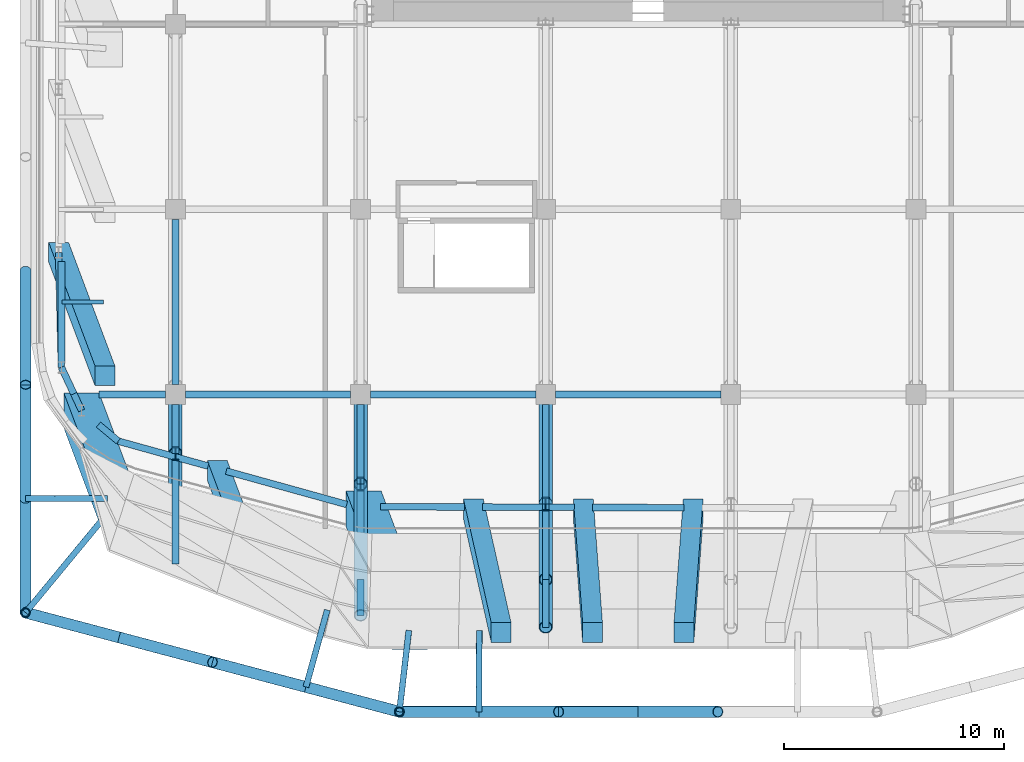
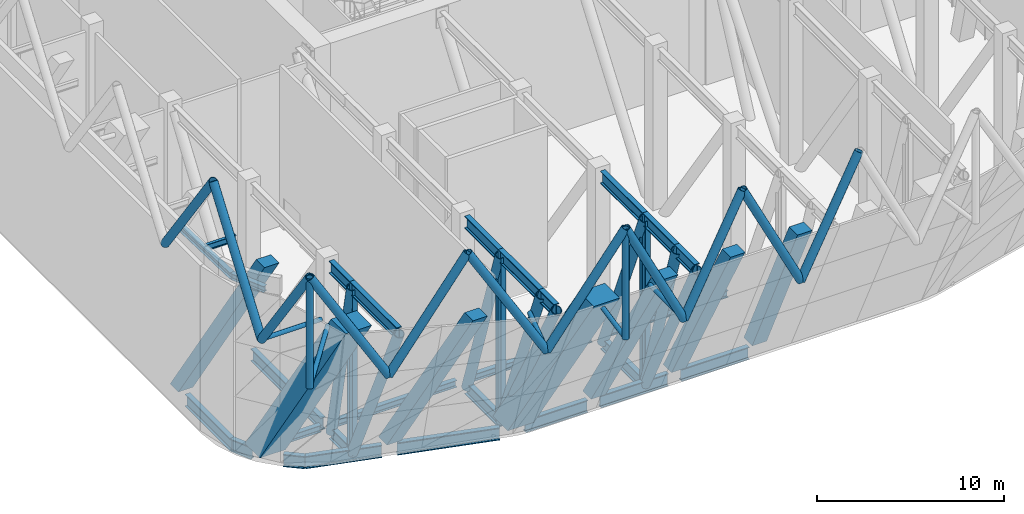
# One storey, part 3 of 20: 35 beams, 28 members.
"""IFC4 building model written with IfcOpenShell, lengths in metres."""

from ifc_helpers import new_model, si_unit, direction, frame, origin, origin_2d, place, context, subcontext, project, spatial, rectangle, hollow_circle, i_section, extrude, material, material_profile, profile_set, type_object, element, save


model = new_model("IFC4")

# Units and contexts
model_context = context("Model", 3, precision=1e-05, world=origin(), true_north=direction((0.0, 1.0)))
body_context = subcontext(model_context, "Body", "Model", "MODEL_VIEW")
ifc_project = project(units=[si_unit("LENGTHUNIT", "METRE"), si_unit("AREAUNIT", "SQUARE_METRE"), si_unit("VOLUMEUNIT", "CUBIC_METRE"), si_unit("PLANEANGLEUNIT", "RADIAN"), si_unit("MASSUNIT", "GRAM", prefix="KILO")], contexts=[model_context])

# Site, building, storey
site_placement = place(None, origin())
site = spatial("IfcSite", under=ifc_project, at=site_placement, CompositionType="ELEMENT")
building_placement = place(site_placement, origin())
building = spatial("IfcBuilding", under=site, at=building_placement, Name="Marenta Gate Hotel Tower", CompositionType="ELEMENT")
storey_placement = place(building_placement, frame((0.0, 0.0, 169.699951171875)))
storey = spatial("IfcBuildingStorey", under=building, at=storey_placement, Name="L40", CompositionType="ELEMENT", Elevation=169.699951171875)

# Members
ifc_material_1 = material(Name="Steel S355J2W", Category="steel")
ifc_material_profile_1 = material_profile(ifc_material_1, hollow_circle(Radius=0.203125, WallThickness=0.02490234375, at=origin_2d()), Name="CHS 406.4x25")
ifc_profile_set_1 = profile_set([ifc_material_profile_1], Name="Steel S355J2W")
member_type_1 = type_object("IfcMemberType", Name="Diagrid corner post Z3 CHS 406.4x25", PredefinedType="POST", material=ifc_profile_set_1)
for number, where, z_axis, x_axis, name in (
    (1, (-10.839111328125, -31.199951171875, 10.340087890625), (0.0, 0.0, 1.0), (1.0, 0.0, 0.0), "L40-DR-4"),
    (2, (-27.800048828125, -26.7001953125, 10.340087890625), (0.0, 0.0, 1.0), (1.0, 0.0, 0.0), "L40-DR-5"),
):
    element("IfcMember", number, at=place(storey_placement, frame(where, z_axis=z_axis, x_axis=x_axis)), inside=storey, type_object=member_type_1, Name=name, PredefinedType="POST", context=body_context, shape_type="SweptSolid", body=[
        extrude(hollow_circle(Radius=0.203125, WallThickness=0.02490234375, at=origin_2d()), origin(), (0.0, 0.0, 1.0), 7.199951171875),
    ])
ifc_material_2 = material(Name="Steel S355J2W", Category="steel")
ifc_material_profile_2 = material_profile(ifc_material_2, hollow_circle(Radius=0.25390625, WallThickness=0.02490234375, at=origin_2d()), Name="CHS 508x25")
ifc_profile_set_2 = profile_set([ifc_material_profile_2], Name="Steel S355J2W")
member_type_2 = type_object("IfcMemberType", Name="Diagrid diagonal Z3 CHS 508x25", PredefinedType="BRACE", material=ifc_profile_set_2)
for number, where, z_axis, x_axis, name in (
    (3, (0.0, -31.199951171875, 10.340087890625), (0.44851025603, 0.0, 0.893777685018), (0.0, 1.0, 0.0), "L40-DG-17"),
    (4, (0.0, -31.199951171875, 10.340087890625), (-0.44851025603, 0.0, 0.893777685018), (0.0, -1.0, 0.0), "L40-DG-18"),
    (5, (-7.22607421875, -31.199951171875, 10.340087890625), (0.44851025603, 0.0, 0.893777685018), (0.0, 1.0, 0.0), "L40-DG-19"),
    (6, (-7.22607421875, -31.199951171875, 10.340087890625), (-0.44851025603, 0.0, 0.893777685018), (0.0, -1.0, 0.0), "L40-DG-20"),
):
    element("IfcMember", number, at=place(storey_placement, frame(where, z_axis=z_axis, x_axis=x_axis)), inside=storey, type_object=member_type_2, Name=name, PredefinedType="BRACE", context=body_context, shape_type="SweptSolid", body=[
        extrude(hollow_circle(Radius=0.25390625, WallThickness=0.02490234375, at=origin_2d()), origin(), (0.0, 0.0, 1.0), 8.0556640625),
    ])
for number, where, z_axis, x_axis, name in (
    (7, (-15.079345703125, -30.074951171875, 10.340087890625), (0.502924018666, -0.133433548941, 0.853968921838), (0.256443187528, 0.96655930577, 0.0), "L40-DG-21"),
    (8, (-15.079345703125, -30.074951171875, 10.340087890625), (-0.502925961678, 0.133405107407, 0.853972221087), (-0.256391194513, -0.966573098827, 0.0), "L40-DG-22"),
    (9, (-23.559814453125, -27.8251953125, 10.340087890625), (0.502924018666, -0.133433548941, 0.853968921838), (0.256443187528, 0.96655930577, 0.0), "L40-DG-23"),
    (10, (-23.559814453125, -27.8251953125, 10.340087890625), (-0.502924018666, 0.133433548941, 0.853968921838), (-0.256443187528, -0.96655930577, 0.0), "L40-DG-24"),
):
    element("IfcMember", number, at=place(storey_placement, frame(where, z_axis=z_axis, x_axis=x_axis)), inside=storey, type_object=member_type_2, Name=name, PredefinedType="BRACE", context=body_context, shape_type="SweptSolid", body=[
        extrude(hollow_circle(Radius=0.25390625, WallThickness=0.02490234375, at=origin_2d()), origin(), (0.0, 0.0, 1.0), 8.43115234375),
    ])
member_1_placement = place(storey_placement, frame((-27.800048828125, -21.530029296875, 10.340087890625), z_axis=(0.0, -0.583279014058, 0.812271870595), x_axis=(1.0, 0.0, 0.0)))
element("IfcMember", 11, at=member_1_placement, inside=storey, type_object=member_type_2, Name="L40-DG-25", PredefinedType="BRACE", context=body_context, shape_type="SweptSolid", body=[
    extrude(hollow_circle(Radius=0.25390625, WallThickness=0.02490234375, at=origin_2d()), origin(), (0.0, 0.0, 1.0), 8.864013671875),
])
for number, where, z_axis, x_axis, name in (
    (12, (-27.800048828125, -21.530029296875, 10.340087890625), (0.0, 0.583260841117, 0.812284919975), (-1.0, 0.0, 0.0), "L40-DG-26"),
    (13, (-27.800048828125, -11.190185546875, 10.340087890625), (0.0, -0.583260841117, 0.812284919975), (1.0, 0.0, 0.0), "L40-DG-27"),
):
    element("IfcMember", number, at=place(storey_placement, frame(where, z_axis=z_axis, x_axis=x_axis)), inside=storey, type_object=member_type_2, Name=name, PredefinedType="BRACE", context=body_context, shape_type="SweptSolid", body=[
        extrude(hollow_circle(Radius=0.25390625, WallThickness=0.02490234375, at=origin_2d()), origin(), (0.0, 0.0, 1.0), 8.86376953125),
    ])

# Beams
ifc_material_3 = material(Name="Steel S355", Category="steel")
ifc_material_profile_3 = material_profile(ifc_material_3, i_section(OverallWidth=0.302978515625, OverallDepth=0.81396484375, WebThickness=0.030029296875, FlangeThickness=0.052001953125, FilletRadius=0.030029296875, at=origin_2d()), Name="HEM 800")
ifc_profile_set_3 = profile_set([ifc_material_profile_3], Name="Steel S355")
beam_type_1 = type_object("IfcBeamType", Name="Edge beam HEM 800", PredefinedType="SPANDREL", material=ifc_profile_set_3)
beam_1_placement = place(storey_placement, frame((-13.227783203125, -21.794677734375, -0.70703125), z_axis=(-0.963615860477, 0.267290990189, 0.0), x_axis=(-0.267290990189, -0.963615860477, 0.0)))
element("IfcBeam", 14, at=beam_1_placement, inside=storey, type_object=beam_type_1, Name="L40-EB-1", PredefinedType="SPANDREL", context=body_context, shape_type="SweptSolid", body=[
    extrude(i_section(OverallWidth=0.302978515625, OverallDepth=0.81396484375, WebThickness=0.030029296875, FlangeThickness=0.052001953125, FilletRadius=0.030029296875, at=origin_2d()), origin(), (0.0, 0.0, 1.0), 5.674072265625),
])
beam_2_placement = place(storey_placement, frame((-19.518310546875, -20.0498046875, -0.70703125), z_axis=(-0.963630213062, 0.267239242016, 0.0), x_axis=(-0.267239242016, -0.963630213062, 0.0)))
element("IfcBeam", 15, at=beam_2_placement, inside=storey, type_object=beam_type_1, Name="L40-EB-2", PredefinedType="SPANDREL", context=body_context, shape_type="SweptSolid", body=[
    extrude(i_section(OverallWidth=0.302978515625, OverallDepth=0.81396484375, WebThickness=0.030029296875, FlangeThickness=0.052001953125, FilletRadius=0.030029296875, at=origin_2d()), origin(), (0.0, 0.0, 1.0), 4.232666015625),
])
beam_3_placement = place(storey_placement, frame((-23.596923828125, -18.918701171875, -0.70703125), z_axis=(-0.767073132856, 0.641559668972, 0.0), x_axis=(-0.641559668972, -0.767073132856, 0.0)))
element("IfcBeam", 16, at=beam_3_placement, inside=storey, type_object=beam_type_1, Name="L40-EB-3", PredefinedType="SPANDREL", context=body_context, shape_type="SweptSolid", body=[
    extrude(i_section(OverallWidth=0.302978515625, OverallDepth=0.81396484375, WebThickness=0.030029296875, FlangeThickness=0.052001953125, FilletRadius=0.030029296875, at=origin_2d()), origin(), (0.0, 0.0, 1.0), 1.1689453125),
])
beam_4_placement = place(storey_placement, frame((-25.613525390625, -16.769287109375, -0.70703125), z_axis=(-0.423207780269, 0.906032656541, 0.0), x_axis=(-0.906032656541, -0.423207780269, 0.0)))
element("IfcBeam", 17, at=beam_4_placement, inside=storey, type_object=beam_type_1, Name="L40-EB-4", PredefinedType="SPANDREL", context=body_context, shape_type="SweptSolid", body=[
    extrude(i_section(OverallWidth=0.302978515625, OverallDepth=0.81396484375, WebThickness=0.030029296875, FlangeThickness=0.052001953125, FilletRadius=0.030029296875, at=origin_2d()), origin(), (0.0, 0.0, 1.0), 1.326904296875),
])
beam_5_placement = place(storey_placement, frame((-26.175048828125, -15.567138671875, -0.70703125), z_axis=(0.001371810517, 0.999999059068, 0.0), x_axis=(-0.999999059068, 0.001371810517, 0.0)))
element("IfcBeam", 18, at=beam_5_placement, inside=storey, type_object=beam_type_1, Name="L40-EB-5", PredefinedType="SPANDREL", context=body_context, shape_type="SweptSolid", body=[
    extrude(i_section(OverallWidth=0.302978515625, OverallDepth=0.81396484375, WebThickness=0.030029296875, FlangeThickness=0.052001953125, FilletRadius=0.030029296875, at=origin_2d()), origin(), (0.0, 0.0, 1.0), 4.80517578125),
])
beam_6_placement = place(storey_placement, frame((2.08349609375, -21.939453125, -0.70703125), z_axis=(-0.999994808095, 0.003222387769, 0.0), x_axis=(-0.003222387769, -0.999994808095, 0.0)))
element("IfcBeam", 19, at=beam_6_placement, inside=storey, type_object=beam_type_1, Name="L40-EB-34", PredefinedType="SPANDREL", context=body_context, shape_type="SweptSolid", body=[
    extrude(i_section(OverallWidth=0.302978515625, OverallDepth=0.81396484375, WebThickness=0.030029296875, FlangeThickness=0.052001953125, FilletRadius=0.030029296875, at=origin_2d()), origin(), (0.0, 0.0, 1.0), 4.1669921875),
])
beam_7_placement = place(storey_placement, frame((-2.9033203125, -21.92333984375, -0.70703125), z_axis=(-0.999994807487, 0.003222576575, 0.0), x_axis=(-0.003222576575, -0.999994807487, 0.0)))
element("IfcBeam", 20, at=beam_7_placement, inside=storey, type_object=beam_type_1, Name="L40-EB-35", PredefinedType="SPANDREL", context=body_context, shape_type="SweptSolid", body=[
    extrude(i_section(OverallWidth=0.302978515625, OverallDepth=0.81396484375, WebThickness=0.030029296875, FlangeThickness=0.052001953125, FilletRadius=0.030029296875, at=origin_2d()), origin(), (0.0, 0.0, 1.0), 4.166748046875),
])
beam_8_placement = place(storey_placement, frame((-7.89013671875, -21.907470703125, -0.70703125), z_axis=(-0.999994677283, 0.003262729738, 0.0), x_axis=(-0.003262729738, -0.999994677283, 0.0)))
element("IfcBeam", 21, at=beam_8_placement, inside=storey, type_object=beam_type_1, Name="L40-EB-36", PredefinedType="SPANDREL", context=body_context, shape_type="SweptSolid", body=[
    extrude(i_section(OverallWidth=0.302978515625, OverallDepth=0.81396484375, WebThickness=0.030029296875, FlangeThickness=0.052001953125, FilletRadius=0.030029296875, at=origin_2d()), origin(), (0.0, 0.0, 1.0), 3.816162109375),
])

# Members
ifc_material_4 = material(Name="Concrete C70", Category="concrete")
ifc_material_profile_4 = material_profile(ifc_material_4, rectangle(XDim=0.89990234375, YDim=0.89990234375, at=origin_2d()), Name="900 x 900")
ifc_profile_set_4 = profile_set([ifc_material_profile_4], Name="Concrete C70")
member_type_3 = type_object("IfcMemberType", Name="Edge column raked 900 x 900 C70", PredefinedType="STRUT", material=ifc_profile_set_4)
member_2_placement = place(storey_placement, frame((-26.300048828125, -10.351806640625, 0.0), z_axis=(0.0, 0.0, 1.0), x_axis=(1.0, 0.0, 0.0)))
element("IfcMember", 22, at=member_2_placement, inside=storey, type_object=member_type_3, Name="L40-EC-SW-W-1", PredefinedType="STRUT", context=body_context, shape_type="SweptSolid", body=[
    extrude(rectangle(XDim=0.89990234375, YDim=0.89990234375, at=origin_2d()), origin(), (0.170109713578, -0.45361271914, 0.874813229427), 12.345458984375),
])
member_3_placement = place(storey_placement, frame((2.493408203125, -22.0, 0.0), z_axis=(0.0, 0.0, 1.0), x_axis=(1.0, 0.0, 0.0)))
element("IfcMember", 23, at=member_3_placement, inside=storey, type_object=member_type_3, Name="L40-EC-SKE-SKW-2", PredefinedType="STRUT", context=body_context, shape_type="SweptSolid", body=[
    extrude(rectangle(XDim=0.89990234375, YDim=0.89990234375, at=origin_2d()), origin(), (-0.034496570936, -0.460047874499, 0.887223725879), 12.1728515625),
])
member_4_placement = place(storey_placement, frame((-2.493408203125, -22.0, 0.0), z_axis=(0.0, 0.0, 1.0), x_axis=(1.0, 0.0, 0.0)))
element("IfcMember", 24, at=member_4_placement, inside=storey, type_object=member_type_3, Name="L40-EC-SKE-SKW-3", PredefinedType="STRUT", context=body_context, shape_type="SweptSolid", body=[
    extrude(rectangle(XDim=0.89990234375, YDim=0.89990234375, at=origin_2d()), origin(), (0.034496570936, -0.460047874499, 0.887223725879), 12.1728515625),
])
member_5_placement = place(storey_placement, frame((-7.47998046875, -22.0, 0.0), z_axis=(0.0, 0.0, 1.0), x_axis=(1.0, 0.0, 0.0)))
element("IfcMember", 25, at=member_5_placement, inside=storey, type_object=member_type_3, Name="L40-EC-SKE-SKW-4", PredefinedType="STRUT", context=body_context, shape_type="SweptSolid", body=[
    extrude(rectangle(XDim=0.89990234375, YDim=0.89990234375, at=origin_2d()), origin(), (0.103000585875, -0.457873534649, 0.883030410336), 12.230712890625),
])
member_6_placement = place(storey_placement, frame((-19.106689453125, -20.239013671875, 0.0), z_axis=(0.0, 0.0, 1.0), x_axis=(1.0, 0.0, 0.0)))
element("IfcMember", 26, at=member_6_placement, inside=storey, type_object=member_type_3, Name="L40-EC-SKW-SW-1", PredefinedType="STRUT", context=body_context, shape_type="SweptSolid", body=[
    extrude(rectangle(XDim=0.89990234375, YDim=0.89990234375, at=origin_2d()), origin(), (0.170090510133, -0.453614245022, 0.874816172162), 12.345458984375),
])
ifc_material_5 = material(Name="Steel S355J2W", Category="steel")
ifc_material_profile_5 = material_profile(ifc_material_5, hollow_circle(Radius=0.136474609375, WallThickness=0.012451171875, at=origin_2d()), Name="CHS 273x12.5")
ifc_profile_set_5 = profile_set([ifc_material_profile_5], Name="Steel S355J2W")
member_type_4 = type_object("IfcMemberType", Name="Floor tie CHS 273x12.5", PredefinedType="STRUT", material=ifc_profile_set_5)
member_7_placement = place(storey_placement, frame((-7.22607421875, -31.199951171875, 10.340087890625), z_axis=(0.003847911538, 0.999992596761, 0.0), x_axis=(-0.999992596761, 0.003847911538, 0.0)))
element("IfcMember", 27, at=member_7_placement, inside=storey, type_object=member_type_4, Name="L40-DR-15", PredefinedType="STRUT", context=body_context, shape_type="SweptSolid", body=[
    extrude(hollow_circle(Radius=0.136474609375, WallThickness=0.012451171875, at=origin_2d()), origin(), (0.0, 0.0, 1.0), 3.679931640625),
])
member_8_placement = place(storey_placement, frame((-10.839111328125, -31.199951171875, 10.340087890625), z_axis=(0.116052406454, 0.993243091572, 0.0), x_axis=(-0.993243091572, 0.116052406454, 0.0)))
element("IfcMember", 28, at=member_8_placement, inside=storey, type_object=member_type_4, Name="L40-DR-16", PredefinedType="STRUT", context=body_context, shape_type="SweptSolid", body=[
    extrude(hollow_circle(Radius=0.136474609375, WallThickness=0.012451171875, at=origin_2d()), origin(), (0.0, 0.0, 1.0), 3.71728515625),
])
member_9_placement = place(storey_placement, frame((-15.079345703125, -30.074951171875, 10.340087890625), z_axis=(0.267310296681, 0.96361050497, 0.0), x_axis=(-0.96361050497, 0.267310296681, 0.0)))
element("IfcMember", 29, at=member_9_placement, inside=storey, type_object=member_type_4, Name="L40-DR-17", PredefinedType="STRUT", context=body_context, shape_type="SweptSolid", body=[
    extrude(hollow_circle(Radius=0.136474609375, WallThickness=0.012451171875, at=origin_2d()), origin(), (0.0, 0.0, 1.0), 3.6240234375),
])
member_10_placement = place(storey_placement, frame((-27.800048828125, -26.7001953125, 10.340087890625), z_axis=(0.636513673172, 0.771265417262, 0.0), x_axis=(-0.771265417262, 0.636513673172, 0.0)))
element("IfcMember", 30, at=member_10_placement, inside=storey, type_object=member_type_4, Name="L40-DR-18", PredefinedType="STRUT", context=body_context, shape_type="SweptSolid", body=[
    extrude(hollow_circle(Radius=0.136474609375, WallThickness=0.012451171875, at=origin_2d()), origin(), (0.0, 0.0, 1.0), 5.833984375),
])
member_11_placement = place(storey_placement, frame((-27.800048828125, -21.530029296875, 10.340087890625), z_axis=(0.999994589725, 0.003289455887, 0.0), x_axis=(-0.003289455887, 0.999994589725, 0.0)))
element("IfcMember", 31, at=member_11_placement, inside=storey, type_object=member_type_4, Name="L40-DR-19", PredefinedType="STRUT", context=body_context, shape_type="SweptSolid", body=[
    extrude(hollow_circle(Radius=0.136474609375, WallThickness=0.012451171875, at=origin_2d()), origin(), (0.0, 0.0, 1.0), 3.7109375),
])

# Beams
ifc_material_6 = material(Name="Steel S355", Category="steel")
ifc_material_profile_6 = material_profile(ifc_material_6, i_section(OverallWidth=0.300048828125, OverallDepth=0.449951171875, WebThickness=0.013916015625, FlangeThickness=0.02587890625, FilletRadius=0.027099609375, at=origin_2d()), Name="HEB 450")
ifc_profile_set_6 = profile_set([ifc_material_profile_6], Name="Steel S355")
beam_type_2 = type_object("IfcBeamType", Name="Girder HEB 450", PredefinedType="BEAM", material=ifc_profile_set_6)
beam_9_placement = place(storey_placement, frame((-24.462890625, -16.800048828125, -0.52490234375), z_axis=(1.0, 0.0, 0.0), x_axis=(0.0, 1.0, 0.0)))
element("IfcBeam", 32, at=beam_9_placement, inside=storey, type_object=beam_type_2, Name="L40-GD-1", PredefinedType="BEAM", context=body_context, shape_type="SweptSolid", body=[
    extrude(i_section(OverallWidth=0.300048828125, OverallDepth=0.449951171875, WebThickness=0.013916015625, FlangeThickness=0.02587890625, FilletRadius=0.027099609375, at=origin_2d()), origin(), (0.0, 0.0, 1.0), 3.012939453125),
])
for number, where, z_axis, x_axis, name in (
    (33, (-20.550048828125, -16.800048828125, -0.52490234375), (1.0, 0.0, 0.0), (0.0, 1.0, 0.0), "L40-GD-2"),
    (34, (-12.14990234375, -16.800048828125, -0.52490234375), (1.0, 0.0, 0.0), (0.0, 1.0, 0.0), "L40-GD-3"),
    (35, (-3.75, -16.800048828125, -0.52490234375), (1.0, 0.0, 0.0), (0.0, 1.0, 0.0), "L40-GD-4"),
):
    element("IfcBeam", number, at=place(storey_placement, frame(where, z_axis=z_axis, x_axis=x_axis)), inside=storey, type_object=beam_type_2, Name=name, PredefinedType="BEAM", context=body_context, shape_type="SweptSolid", body=[
        extrude(i_section(OverallWidth=0.300048828125, OverallDepth=0.449951171875, WebThickness=0.013916015625, FlangeThickness=0.02587890625, FilletRadius=0.027099609375, at=origin_2d()), origin(), (0.0, 0.0, 1.0), 7.5),
    ])

# Members
ifc_material_7 = material(Name="Concrete C70", Category="concrete")
ifc_material_profile_7 = material_profile(ifc_material_7, rectangle(XDim=1.60009765625, YDim=1.60009765625, at=origin_2d()), Name="1600 x 1600")
ifc_profile_set_7 = profile_set([ifc_material_profile_7], Name="Concrete C70")
member_type_5 = type_object("IfcMemberType", Name="Mega column raked 1600 x 1600 C70", PredefinedType="STRUT", material=ifc_profile_set_7)
member_12_placement = place(storey_placement, frame((-25.262939453125, -17.532958984375, 0.0), z_axis=(0.0, 0.0, 1.0), x_axis=(1.0, 0.0, 0.0)))
element("IfcMember", 36, at=member_12_placement, inside=storey, type_object=member_type_5, Name="L40-MC-SW", PredefinedType="STRUT", context=body_context, shape_type="SweptSolid", body=[
    extrude(rectangle(XDim=1.60009765625, YDim=1.60009765625, at=origin_2d()), origin(), (0.170090510133, -0.453614245022, 0.874816172162), 12.345458984375),
])
member_13_placement = place(storey_placement, frame((-12.46630859375, -21.974853515625, 0.0), z_axis=(0.0, 0.0, 1.0), x_axis=(1.0, 0.0, 0.0)))
element("IfcMember", 37, at=member_13_placement, inside=storey, type_object=member_type_5, Name="L40-MC-SKW", PredefinedType="STRUT", context=body_context, shape_type="SweptSolid", body=[
    extrude(rectangle(XDim=1.60009765625, YDim=1.60009765625, at=origin_2d()), origin(), (0.170111239528, -0.453597012445, 0.874821076842), 12.345458984375),
])

# Beams
ifc_material_8 = material(Name="Steel S355", Category="steel")
ifc_material_profile_8 = material_profile(ifc_material_8, i_section(OverallWidth=0.302978515625, OverallDepth=0.81396484375, WebThickness=0.030029296875, FlangeThickness=0.052001953125, FilletRadius=0.030029296875, at=origin_2d()), Name="HEM 800")
ifc_profile_set_8 = profile_set([ifc_material_profile_8], Name="Steel S355")
beam_type_3 = type_object("IfcBeamType", Name="Outrigger truss chord HEM 800", PredefinedType="BEAM", material=ifc_profile_set_8)
beam_10_placement = place(storey_placement, frame((-21.0, -8.85009765625, -0.70703125), z_axis=(0.0, -1.0, 0.0), x_axis=(1.0, 0.0, 0.0)))
element("IfcBeam", 38, at=beam_10_placement, inside=storey, type_object=beam_type_3, Name="TC-HEM800 Outrigger truss T2-4 chord", PredefinedType="BEAM", context=body_context, shape_type="SweptSolid", body=[
    extrude(i_section(OverallWidth=0.302978515625, OverallDepth=0.81396484375, WebThickness=0.030029296875, FlangeThickness=0.052001953125, FilletRadius=0.030029296875, at=origin_2d()), origin(), (0.0, 0.0, 1.0), 7.5),
])
for number, where, z_axis, x_axis, name in (
    (39, (-21.0, -17.25, -0.70703125), (0.0, -1.0, 0.0), (1.0, 0.0, 0.0), "TC-HEM800 Outrigger truss T2-4 chord"),
    (40, (-21.0, -17.25, 10.133056640625), (0.0, -1.0, 0.0), (1.0, 0.0, 0.0), "TC-HEM800 Outrigger truss T2-4 chord"),
):
    element("IfcBeam", number, at=place(storey_placement, frame(where, z_axis=z_axis, x_axis=x_axis)), inside=storey, type_object=beam_type_3, Name=name, PredefinedType="BEAM", context=body_context, shape_type="SweptSolid", body=[
        extrude(i_section(OverallWidth=0.302978515625, OverallDepth=0.81396484375, WebThickness=0.030029296875, FlangeThickness=0.052001953125, FilletRadius=0.030029296875, at=origin_2d()), origin(), (0.0, 0.0, 1.0), 2.231689453125),
    ])
beam_11_placement = place(storey_placement, frame((-21.0, -19.481689453125, 10.133056640625), z_axis=(0.0, -1.0, 0.0), x_axis=(1.0, 0.0, 0.0)))
element("IfcBeam", 41, at=beam_11_placement, inside=storey, type_object=beam_type_3, Name="TC-HEM800 Outrigger truss T2-4 chord", PredefinedType="BEAM", context=body_context, shape_type="SweptSolid", body=[
    extrude(i_section(OverallWidth=0.302978515625, OverallDepth=0.81396484375, WebThickness=0.030029296875, FlangeThickness=0.052001953125, FilletRadius=0.030029296875, at=origin_2d()), origin(), (0.0, 0.0, 1.0), 5.017578125),
])
for number, where, z_axis, x_axis, name in (
    (42, (-12.60009765625, -17.25, -0.70703125), (0.0, -1.0, 0.0), (1.0, 0.0, 0.0), "TC-HEM800 Outrigger truss T2-5 chord"),
    (43, (-12.60009765625, -17.25, 10.133056640625), (0.0, -1.0, 0.0), (1.0, 0.0, 0.0), "TC-HEM800 Outrigger truss T2-5 chord"),
):
    element("IfcBeam", number, at=place(storey_placement, frame(where, z_axis=z_axis, x_axis=x_axis)), inside=storey, type_object=beam_type_3, Name=name, PredefinedType="BEAM", context=body_context, shape_type="SweptSolid", body=[
        extrude(i_section(OverallWidth=0.302978515625, OverallDepth=0.81396484375, WebThickness=0.030029296875, FlangeThickness=0.052001953125, FilletRadius=0.030029296875, at=origin_2d()), origin(), (0.0, 0.0, 1.0), 3.6142578125),
    ])
beam_12_placement = place(storey_placement, frame((-12.60009765625, -20.8642578125, 10.133056640625), z_axis=(0.0, -1.0, 0.0), x_axis=(1.0, 0.0, 0.0)))
element("IfcBeam", 44, at=beam_12_placement, inside=storey, type_object=beam_type_3, Name="TC-HEM800 Outrigger truss T2-5 chord", PredefinedType="BEAM", context=body_context, shape_type="SweptSolid", body=[
    extrude(i_section(OverallWidth=0.302978515625, OverallDepth=0.81396484375, WebThickness=0.030029296875, FlangeThickness=0.052001953125, FilletRadius=0.030029296875, at=origin_2d()), origin(), (0.0, 0.0, 1.0), 4.335693359375),
])
beam_13_placement = place(storey_placement, frame((-12.60009765625, -25.199951171875, 10.133056640625), z_axis=(0.0, -1.0, 0.0), x_axis=(1.0, 0.0, 0.0)))
element("IfcBeam", 45, at=beam_13_placement, inside=storey, type_object=beam_type_3, Name="TC-HEM800 Outrigger truss T2-5 chord", PredefinedType="BEAM", context=body_context, shape_type="SweptSolid", body=[
    extrude(i_section(OverallWidth=0.302978515625, OverallDepth=0.81396484375, WebThickness=0.030029296875, FlangeThickness=0.052001953125, FilletRadius=0.030029296875, at=origin_2d()), origin(), (0.0, 0.0, 1.0), 1.629150390625),
])
for number, where, z_axis, x_axis, name in (
    (46, (-4.199951171875, -17.25, -0.70703125), (0.0, -1.0, 0.0), (1.0, 0.0, 0.0), "TC-HEM800 Outrigger truss T2-6 chord"),
    (47, (-4.199951171875, -17.25, 10.133056640625), (0.0, -1.0, 0.0), (1.0, 0.0, 0.0), "TC-HEM800 Outrigger truss T2-6 chord"),
):
    element("IfcBeam", number, at=place(storey_placement, frame(where, z_axis=z_axis, x_axis=x_axis)), inside=storey, type_object=beam_type_3, Name=name, PredefinedType="BEAM", context=body_context, shape_type="SweptSolid", body=[
        extrude(i_section(OverallWidth=0.302978515625, OverallDepth=0.81396484375, WebThickness=0.030029296875, FlangeThickness=0.052001953125, FilletRadius=0.030029296875, at=origin_2d()), origin(), (0.0, 0.0, 1.0), 4.517578125),
    ])
beam_14_placement = place(storey_placement, frame((-4.199951171875, -21.767578125, 10.133056640625), z_axis=(0.0, -1.0, 0.0), x_axis=(1.0, 0.0, 0.0)))
element("IfcBeam", 48, at=beam_14_placement, inside=storey, type_object=beam_type_3, Name="TC-HEM800 Outrigger truss T2-6 chord", PredefinedType="BEAM", context=body_context, shape_type="SweptSolid", body=[
    extrude(i_section(OverallWidth=0.302978515625, OverallDepth=0.81396484375, WebThickness=0.030029296875, FlangeThickness=0.052001953125, FilletRadius=0.030029296875, at=origin_2d()), origin(), (0.0, 0.0, 1.0), 3.432373046875),
])
beam_15_placement = place(storey_placement, frame((-4.199951171875, -25.199951171875, 10.133056640625), z_axis=(0.0, -1.0, 0.0), x_axis=(1.0, 0.0, 0.0)))
element("IfcBeam", 49, at=beam_15_placement, inside=storey, type_object=beam_type_3, Name="TC-HEM800 Outrigger truss T2-6 chord", PredefinedType="BEAM", context=body_context, shape_type="SweptSolid", body=[
    extrude(i_section(OverallWidth=0.302978515625, OverallDepth=0.81396484375, WebThickness=0.030029296875, FlangeThickness=0.052001953125, FilletRadius=0.030029296875, at=origin_2d()), origin(), (0.0, 0.0, 1.0), 2.165283203125),
])
ifc_material_9 = material(Name="Steel S355", Category="steel")
ifc_material_profile_9 = material_profile(ifc_material_9, hollow_circle(Radius=0.304931640625, WallThickness=0.0400390625, at=origin_2d()), Name="CHS 610x40")
ifc_profile_set_9 = profile_set([ifc_material_profile_9], Name="Steel S355")
beam_type_4 = type_object("IfcBeamType", Name="Outrigger truss diagonal CHS 610x40", PredefinedType="BEAM", material=ifc_profile_set_9)
beam_16_placement = place(storey_placement, frame((-21.0, -17.25, -0.70703125), z_axis=(0.0, -0.201644829172, 0.979458709119), x_axis=(1.0, 0.0, 0.0)))
element("IfcBeam", 50, at=beam_16_placement, inside=storey, type_object=beam_type_4, Name="Outrigger truss T2-4 diagonal", PredefinedType="BEAM", context=body_context, shape_type="SweptSolid", body=[
    extrude(hollow_circle(Radius=0.304931640625, WallThickness=0.0400390625, at=origin_2d()), origin(), (0.0, 0.0, 1.0), 11.0673828125),
])
beam_17_placement = place(storey_placement, frame((-21.0, -19.481689453125, -0.70703125), z_axis=(0.0, -0.420055930527, 0.907498217756), x_axis=(1.0, 0.0, 0.0)))
element("IfcBeam", 51, at=beam_17_placement, inside=storey, type_object=beam_type_4, Name="Outrigger truss T2-4 diagonal", PredefinedType="BEAM", context=body_context, shape_type="SweptSolid", body=[
    extrude(hollow_circle(Radius=0.304931640625, WallThickness=0.0400390625, at=origin_2d()), origin(), (0.0, 0.0, 1.0), 11.945068359375),
])
beam_18_placement = place(storey_placement, frame((-12.60009765625, -17.25, -0.70703125), z_axis=(0.0, -0.316298272054, 0.948659793127), x_axis=(1.0, 0.0, 0.0)))
element("IfcBeam", 52, at=beam_18_placement, inside=storey, type_object=beam_type_4, Name="Outrigger truss T2-5 diagonal", PredefinedType="BEAM", context=body_context, shape_type="SweptSolid", body=[
    extrude(hollow_circle(Radius=0.304931640625, WallThickness=0.0400390625, at=origin_2d()), origin(), (0.0, 0.0, 1.0), 11.4267578125),
])
beam_19_placement = place(storey_placement, frame((-12.60009765625, -20.8642578125, -0.70703125), z_axis=(0.0, -0.371365438328, 0.928486785698), x_axis=(1.0, 0.0, 0.0)))
element("IfcBeam", 53, at=beam_19_placement, inside=storey, type_object=beam_type_4, Name="Outrigger truss T2-5 diagonal", PredefinedType="BEAM", context=body_context, shape_type="SweptSolid", body=[
    extrude(hollow_circle(Radius=0.304931640625, WallThickness=0.0400390625, at=origin_2d()), origin(), (0.0, 0.0, 1.0), 11.675048828125),
])
beam_20_placement = place(storey_placement, frame((-12.60009765625, -20.8642578125, -0.70703125), z_axis=(0.0, -0.482092200128, 0.876120488617), x_axis=(1.0, 0.0, 0.0)))
element("IfcBeam", 54, at=beam_20_placement, inside=storey, type_object=beam_type_4, Name="Outrigger truss T2-5 diagonal", PredefinedType="BEAM", context=body_context, shape_type="SweptSolid", body=[
    extrude(hollow_circle(Radius=0.304931640625, WallThickness=0.0400390625, at=origin_2d()), origin(), (0.0, 0.0, 1.0), 12.372802734375),
])
beam_21_placement = place(storey_placement, frame((-4.199951171875, -17.25, -0.70703125), z_axis=(0.0, -0.384678857681, 0.923050473405), x_axis=(1.0, 0.0, 0.0)))
element("IfcBeam", 55, at=beam_21_placement, inside=storey, type_object=beam_type_4, Name="Outrigger truss T2-6 diagonal", PredefinedType="BEAM", context=body_context, shape_type="SweptSolid", body=[
    extrude(hollow_circle(Radius=0.304931640625, WallThickness=0.0400390625, at=origin_2d()), origin(), (0.0, 0.0, 1.0), 11.74365234375),
])
beam_22_placement = place(storey_placement, frame((-4.199951171875, -21.767578125, -0.70703125), z_axis=(0.0, -0.301866010492, 0.953350361467), x_axis=(1.0, 0.0, 0.0)))
element("IfcBeam", 56, at=beam_22_placement, inside=storey, type_object=beam_type_4, Name="Outrigger truss T2-6 diagonal", PredefinedType="BEAM", context=body_context, shape_type="SweptSolid", body=[
    extrude(hollow_circle(Radius=0.304931640625, WallThickness=0.0400390625, at=origin_2d()), origin(), (0.0, 0.0, 1.0), 11.37060546875),
])
beam_23_placement = place(storey_placement, frame((-4.199951171875, -21.767578125, -0.70703125), z_axis=(0.0, -0.458822339224, 0.888528030525), x_axis=(1.0, 0.0, 0.0)))
element("IfcBeam", 57, at=beam_23_placement, inside=storey, type_object=beam_type_4, Name="Outrigger truss T2-6 diagonal", PredefinedType="BEAM", context=body_context, shape_type="SweptSolid", body=[
    extrude(hollow_circle(Radius=0.304931640625, WallThickness=0.0400390625, at=origin_2d()), origin(), (0.0, 0.0, 1.0), 12.199951171875),
])

# Members
ifc_material_10 = material(Name="Steel S355", Category="steel")
ifc_material_profile_10 = material_profile(ifc_material_10, i_section(OverallWidth=0.304931640625, OverallDepth=0.6201171875, WebThickness=0.02490234375, FlangeThickness=0.0439453125, FilletRadius=0.027099609375, at=origin_2d()), Name="HEM 600")
ifc_profile_set_10 = profile_set([ifc_material_profile_10], Name="Steel S355")
member_type_6 = type_object("IfcMemberType", Name="Outrigger truss post HEM 600", PredefinedType="POST", material=ifc_profile_set_10)
for number, where, z_axis, x_axis, name in (
    (58, (-21.0, -19.481689453125, -0.70703125), (0.0, 0.0, 1.0), (1.0, 0.0, 0.0), "TR-HEM600 Outrigger truss T2-4 post"),
    (59, (-12.60009765625, -20.8642578125, -0.70703125), (0.0, 0.0, 1.0), (1.0, 0.0, 0.0), "TR-HEM600 Outrigger truss T2-5 post"),
    (60, (-4.199951171875, -21.767578125, -0.70703125), (0.0, 0.0, 1.0), (1.0, 0.0, 0.0), "TR-HEM600 Outrigger truss T2-6 post"),
):
    element("IfcMember", number, at=place(storey_placement, frame(where, z_axis=z_axis, x_axis=x_axis)), inside=storey, type_object=member_type_6, Name=name, PredefinedType="POST", context=body_context, shape_type="SweptSolid", body=[
        extrude(i_section(OverallWidth=0.304931640625, OverallDepth=0.6201171875, WebThickness=0.02490234375, FlangeThickness=0.0439453125, FilletRadius=0.027099609375, at=origin_2d()), origin(), (0.0, 0.0, 1.0), 10.840087890625),
    ])

# Beams
ifc_material_11 = material(Name="Steel S355", Category="steel")
ifc_material_profile_11 = material_profile(ifc_material_11, i_section(OverallWidth=0.179931640625, OverallDepth=0.39990234375, WebThickness=0.008544921875, FlangeThickness=0.013427734375, FilletRadius=0.02099609375, at=origin_2d()), Name="IPE 400")
ifc_profile_set_11 = profile_set([ifc_material_profile_11], Name="Steel S355")
beam_type_5 = type_object("IfcBeamType", Name="Terrace beam IPE 400", PredefinedType="JOIST", material=ifc_profile_set_11)
beam_24_placement = place(storey_placement, frame((-26.14892578125, -12.60009765625, 10.340087890625), z_axis=(1.0, 0.0, 0.0), x_axis=(0.0, 1.0, 0.0)))
element("IfcBeam", 61, at=beam_24_placement, inside=storey, type_object=beam_type_5, Name="L40-TB-23", PredefinedType="JOIST", context=body_context, shape_type="SweptSolid", body=[
    extrude(i_section(OverallWidth=0.179931640625, OverallDepth=0.39990234375, WebThickness=0.008544921875, FlangeThickness=0.013427734375, FilletRadius=0.02099609375, at=origin_2d()), origin(), (0.0, 0.0, 1.0), 1.894287109375),
])
ifc_material_12 = material(Name="Steel S355", Category="steel")
ifc_material_profile_12 = material_profile(ifc_material_12, i_section(OverallWidth=0.300048828125, OverallDepth=0.39990234375, WebThickness=0.013427734375, FlangeThickness=0.02392578125, FilletRadius=0.027099609375, at=origin_2d()), Name="HEB 400")
ifc_profile_set_12 = profile_set([ifc_material_profile_12], Name="Steel S355")
beam_type_6 = type_object("IfcBeamType", Name="Terrace edge beam HEB 400", PredefinedType="SPANDREL", material=ifc_profile_set_12)
beam_25_placement = place(storey_placement, frame((-25.25830078125, -17.529296875, 10.340087890625), z_axis=(-0.423292723631, 0.905992974653, 0.0), x_axis=(-0.905992974653, -0.423292723631, 0.0)))
element("IfcBeam", 62, at=beam_25_placement, inside=storey, type_object=beam_type_6, Name="L40-TE-1", PredefinedType="SPANDREL", context=body_context, shape_type="SweptSolid", body=[
    extrude(i_section(OverallWidth=0.300048828125, OverallDepth=0.39990234375, WebThickness=0.013427734375, FlangeThickness=0.02392578125, FilletRadius=0.027099609375, at=origin_2d()), origin(), (0.0, 0.0, 1.0), 2.165771484375),
])
beam_26_placement = place(storey_placement, frame((-26.175048828125, -15.567138671875, 10.340087890625), z_axis=(-0.023960912032, 0.999712896133, 0.0), x_axis=(-0.999712896133, -0.023960912032, 0.0)))
element("IfcBeam", 63, at=beam_26_placement, inside=storey, type_object=beam_type_6, Name="L40-TE-2", PredefinedType="SPANDREL", context=body_context, shape_type="SweptSolid", body=[
    extrude(i_section(OverallWidth=0.300048828125, OverallDepth=0.39990234375, WebThickness=0.013427734375, FlangeThickness=0.02392578125, FilletRadius=0.027099609375, at=origin_2d()), origin(), (0.0, 0.0, 1.0), 5.216796875),
])

save(model, "model.ifc")
